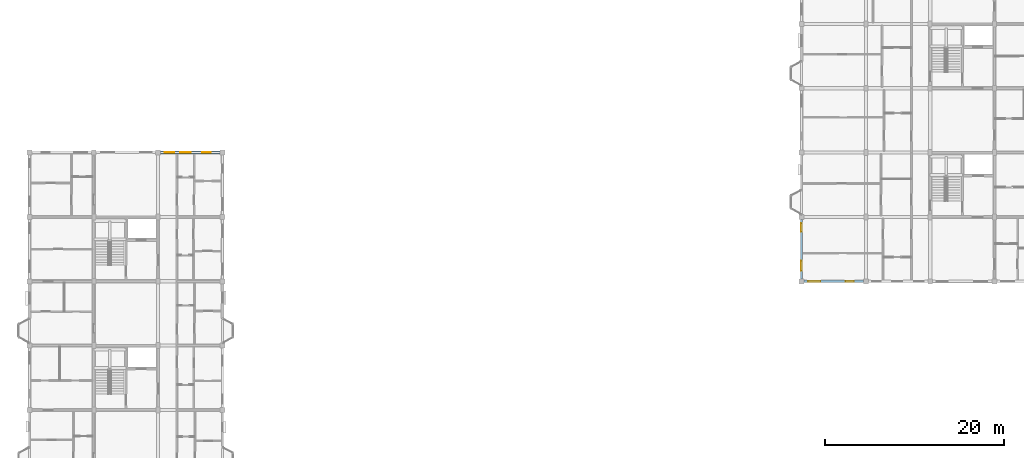
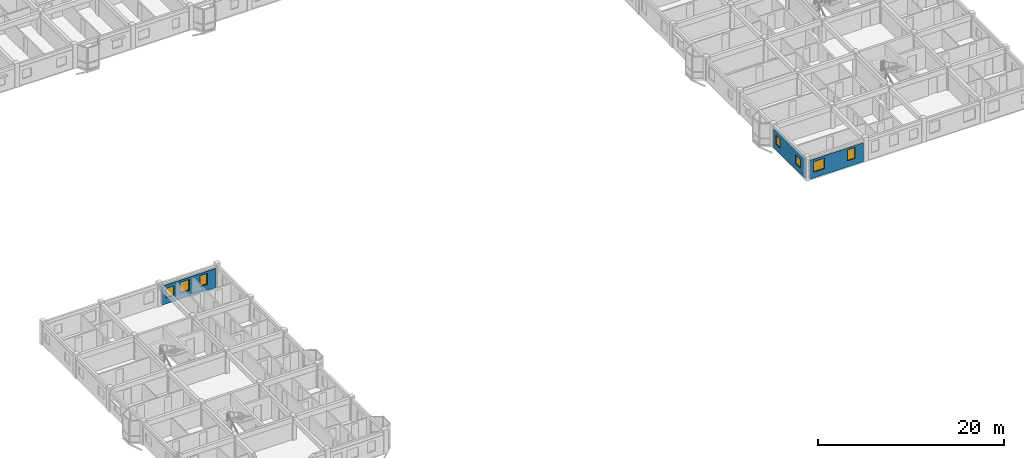
# One storey, part 59 of 77: 7 windows, 3 walls, 7 openings.
"""IFC4 building model written with IfcOpenShell, lengths in metres."""

from ifc_helpers import new_model, si_unit, direction, frame, frame_2d, origin, place, context, subcontext, project, spatial, rectangle, extrude, material, layer, layer_set, type_object, element, fill, save


model = new_model("IFC4")

# Units and contexts
model_context = context("Model", 3, precision=1e-05, world=origin(), true_north=direction((0.0, 1.0)))
body_context = subcontext(model_context, "Body", "Model", "MODEL_VIEW")
ifc_project = project(units=[si_unit("LENGTHUNIT", "METRE"), si_unit("AREAUNIT", "SQUARE_METRE"), si_unit("VOLUMEUNIT", "CUBIC_METRE"), si_unit("PLANEANGLEUNIT", "RADIAN"), si_unit("MASSUNIT", "GRAM", prefix="KILO"), si_unit("THERMODYNAMICTEMPERATUREUNIT", "KELVIN"), si_unit("POWERUNIT", "WATT")], contexts=[model_context])

# Site, building, storey
site_placement = place(None, origin())
site = spatial("IfcSite", under=ifc_project, at=site_placement, CompositionType="ELEMENT")
building_placement = place(site_placement, origin())
building = spatial("IfcBuilding", under=site, at=building_placement, Name="Tavuni Mirador Residences", CompositionType="ELEMENT")
storey_placement = place(building_placement, frame((0.0, 0.0, 17.10009765625)))
storey = spatial("IfcBuildingStorey", under=building, at=storey_placement, Name="L05", CompositionType="ELEMENT", Elevation=17.10009765625)

# Wall, openings, windows
ifc_material_1 = material(Name="Precast concrete C40/50", Category="concrete")
ifc_layer_1 = layer(ifc_material_1, 0.330078125, Name="Precast concrete C40/50", Category="concrete")
ifc_layer_set_1 = layer_set([ifc_layer_1], Name="Precast concrete C40/50")
wall_type_1 = type_object("IfcWallType", Name="WT-EXT-COR330", PredefinedType="SOLIDWALL", material=ifc_layer_set_1)
wall_1_placement = place(storey_placement, frame((24.925048828125, 100.800048828125, 0.0), z_axis=(0.0, 0.0, 1.0), x_axis=(-1.0, 0.0, 0.0)))
wall_1 = element("IfcWall", 1, at=wall_1_placement, inside=storey, type_object=wall_type_1, Name="EW-BLK-B-L05-N02", PredefinedType="SOLIDWALL", context=body_context, shape_type="SweptSolid", body=[
    extrude(rectangle(XDim=6.650146484375, YDim=0.330078125, at=frame_2d((3.3251953125, 0.0))), origin(), (0.0, 0.0, 1.0), 2.47998046875),
])
opening_1_placement = place(wall_1_placement, frame((1.04248046875, 0.0, 0.780029296875)))
opening_1 = element("IfcOpeningElement", 2, at=opening_1_placement, cuts=wall_1, Name="Opening WN-25", PredefinedType="OPENING", context=body_context, shape_type="SweptSolid", body=[
    extrude(rectangle(XDim=0.93994140625, YDim=1.43994140625, at=frame_2d((0.469970703125, 0.719970703125))), frame((0.0, 0.175048828125, 0.0), z_axis=(0.0, -1.0, 0.0), x_axis=(1.0, 0.0, 0.0)), (0.0, 0.0, 1.0), 0.35009765625),
])
opening_2_placement = place(wall_1_placement, frame((3.280029296875, 0.0, 0.780029296875)))
opening_2 = element("IfcOpeningElement", 3, at=opening_2_placement, cuts=wall_1, Name="Opening WN-27", PredefinedType="OPENING", context=body_context, shape_type="SweptSolid", body=[
    extrude(rectangle(XDim=1.14990234375, YDim=1.43994140625, at=frame_2d((0.574951171875, 0.719970703125))), frame((0.0, 0.175048828125, 0.0), z_axis=(0.0, -1.0, 0.0), x_axis=(1.0, 0.0, 0.0)), (0.0, 0.0, 1.0), 0.35009765625),
])
opening_3_placement = place(wall_1_placement, frame((5.1474609375, 0.0, 0.780029296875)))
opening_3 = element("IfcOpeningElement", 4, at=opening_3_placement, cuts=wall_1, Name="Opening WN-11", PredefinedType="OPENING", context=body_context, shape_type="SweptSolid", body=[
    extrude(rectangle(XDim=1.0400390625, YDim=1.260009765625, at=frame_2d((0.52001953125, 0.6298828125))), frame((0.0, 0.175048828125, 0.0), z_axis=(0.0, -1.0, 0.0), x_axis=(1.0, 0.0, 0.0)), (0.0, 0.0, 1.0), 0.35009765625),
])
ifc_material_2 = material(Name="Laminated solar-control glass", Category="glass")
window_type_1 = type_object("IfcWindowType", Name="WNT-11", PartitioningType="SINGLE_PANEL", PredefinedType="WINDOW", material=ifc_material_2)
window_1_placement = place(opening_3_placement, origin())
window_1 = element("IfcWindow", 5, at=window_1_placement, inside=storey, type_object=window_type_1, Name="WIN-0711", OverallHeight=1.260009765625, OverallWidth=1.0400390625, PartitioningType="SINGLE_PANEL", PredefinedType="WINDOW", context=body_context, shape_type="SweptSolid", body=[
    extrude(rectangle(XDim=1.0400390625, YDim=1.260009765625, at=frame_2d((0.52001953125, 0.6298828125))), frame((0.0, 0.030029296875, 0.0), z_axis=(0.0, -1.0, 0.0), x_axis=(1.0, 0.0, 0.0)), (0.0, 0.0, 1.0), 0.06005859375),
])
fill(opening_3, window_1)
window_type_2 = type_object("IfcWindowType", Name="WNT-25", PartitioningType="SINGLE_PANEL", PredefinedType="WINDOW", material=ifc_material_2)
window_2_placement = place(opening_1_placement, origin())
window_2 = element("IfcWindow", 6, at=window_2_placement, inside=storey, type_object=window_type_2, Name="WIN-0709", OverallHeight=1.43994140625, OverallWidth=0.93994140625, PartitioningType="SINGLE_PANEL", PredefinedType="WINDOW", context=body_context, shape_type="SweptSolid", body=[
    extrude(rectangle(XDim=0.93994140625, YDim=1.43994140625, at=frame_2d((0.469970703125, 0.719970703125))), frame((0.0, 0.030029296875, 0.0), z_axis=(0.0, -1.0, 0.0), x_axis=(1.0, 0.0, 0.0)), (0.0, 0.0, 1.0), 0.06005859375),
])
fill(opening_1, window_2)
window_type_3 = type_object("IfcWindowType", Name="WNT-27", PartitioningType="SINGLE_PANEL", PredefinedType="WINDOW", material=ifc_material_2)
window_3_placement = place(opening_2_placement, origin())
window_3 = element("IfcWindow", 7, at=window_3_placement, inside=storey, type_object=window_type_3, Name="WIN-0710", OverallHeight=1.43994140625, OverallWidth=1.14990234375, PartitioningType="SINGLE_PANEL", PredefinedType="WINDOW", context=body_context, shape_type="SweptSolid", body=[
    extrude(rectangle(XDim=1.14990234375, YDim=1.43994140625, at=frame_2d((0.574951171875, 0.719970703125))), frame((0.0, 0.030029296875, 0.0), z_axis=(0.0, -1.0, 0.0), x_axis=(1.0, 0.0, 0.0)), (0.0, 0.0, 1.0), 0.06005859375),
])
fill(opening_2, window_3)

ifc_material_3 = material(Name="Sgraffito lime-rendered precast concrete C40/50", Category="concrete")
ifc_layer_2 = layer(ifc_material_3, 0.2548828125, Name="Sgraffito lime-rendered precast concrete C40/50", Category="concrete")
ifc_layer_set_2 = layer_set([ifc_layer_2], Name="Sgraffito lime-rendered precast concrete C40/50")
wall_type_2 = type_object("IfcWallType", Name="WT-EXT-PC255", PredefinedType="SOLIDWALL", material=ifc_layer_set_2)
wall_2_placement = place(storey_placement, frame((90.27490234375, 86.39990234375, 0.0), z_axis=(0.0, 0.0, 1.0), x_axis=(1.0, 0.0, 0.0)))
wall_2 = element("IfcWall", 8, at=wall_2_placement, inside=storey, type_object=wall_type_2, Name="EW-BLK-D-L05-S00", PredefinedType="SOLIDWALL", context=body_context, shape_type="SweptSolid", body=[
    extrude(rectangle(XDim=6.650146484375, YDim=0.2548828125, at=frame_2d((3.3251953125, 0.0))), origin(), (0.0, 0.0, 1.0), 2.4599609375),
])
opening_4_placement = place(wall_2_placement, frame((0.449951171875, 0.0, 0.780029296875)))
opening_4 = element("IfcOpeningElement", 9, at=opening_4_placement, cuts=wall_2, Name="Opening WN-23", PredefinedType="OPENING", context=body_context, shape_type="SweptSolid", body=[
    extrude(rectangle(XDim=1.3798828125, YDim=1.360107421875, at=frame_2d((0.68994140625, 0.68017578125))), frame((0.0, 0.137451171875, 0.0), z_axis=(0.0, -1.0, 0.0), x_axis=(1.0, 0.0, 0.0)), (0.0, 0.0, 1.0), 0.27490234375),
])
opening_5_placement = place(wall_2_placement, frame((4.64990234375, 0.0, 0.780029296875)))
opening_5 = element("IfcOpeningElement", 10, at=opening_5_placement, cuts=wall_2, Name="Opening WN-25", PredefinedType="OPENING", context=body_context, shape_type="SweptSolid", body=[
    extrude(rectangle(XDim=0.93994140625, YDim=1.43994140625, at=frame_2d((0.469970703125, 0.719970703125))), frame((0.0, 0.137451171875, 0.0), z_axis=(0.0, -1.0, 0.0), x_axis=(1.0, 0.0, 0.0)), (0.0, 0.0, 1.0), 0.27490234375),
])
window_type_4 = type_object("IfcWindowType", Name="WNT-23", PartitioningType="SINGLE_PANEL", PredefinedType="WINDOW", material=ifc_material_2)
window_4_placement = place(opening_4_placement, origin())
window_4 = element("IfcWindow", 11, at=window_4_placement, inside=storey, type_object=window_type_4, Name="WIN-1607", OverallHeight=1.360107421875, OverallWidth=1.3798828125, PartitioningType="SINGLE_PANEL", PredefinedType="WINDOW", context=body_context, shape_type="SweptSolid", body=[
    extrude(rectangle(XDim=1.3798828125, YDim=1.360107421875, at=frame_2d((0.68994140625, 0.68017578125))), frame((0.0, 0.030029296875, 0.0), z_axis=(0.0, -1.0, 0.0), x_axis=(1.0, 0.0, 0.0)), (0.0, 0.0, 1.0), 0.06005859375),
])
fill(opening_4, window_4)
window_5_placement = place(opening_5_placement, origin())
window_5 = element("IfcWindow", 12, at=window_5_placement, inside=storey, type_object=window_type_2, Name="WIN-1608", OverallHeight=1.43994140625, OverallWidth=0.93994140625, PartitioningType="SINGLE_PANEL", PredefinedType="WINDOW", context=body_context, shape_type="SweptSolid", body=[
    extrude(rectangle(XDim=0.93994140625, YDim=1.43994140625, at=frame_2d((0.469970703125, 0.719970703125))), frame((0.0, 0.030029296875, 0.0), z_axis=(0.0, -1.0, 0.0), x_axis=(1.0, 0.0, 0.0)), (0.0, 0.0, 1.0), 0.06005859375),
])
fill(opening_5, window_5)

wall_3_placement = place(storey_placement, frame((90.0, 93.324951171875, 0.0), z_axis=(0.0, 0.0, 1.0), x_axis=(0.0, -1.0, 0.0)))
wall_3 = element("IfcWall", 13, at=wall_3_placement, inside=storey, type_object=wall_type_2, Name="EW-BLK-D-L05-W00", PredefinedType="SOLIDWALL", context=body_context, shape_type="SweptSolid", body=[
    extrude(rectangle(XDim=6.64990234375, YDim=0.2548828125, at=frame_2d((3.324951171875, 0.0))), origin(), (0.0, 0.0, 1.0), 2.4599609375),
])
opening_6_placement = place(wall_3_placement, frame((0.449951171875, 0.0, 0.780029296875)))
opening_6 = element("IfcOpeningElement", 14, at=opening_6_placement, cuts=wall_3, Name="Opening WN-02", PredefinedType="OPENING", context=body_context, shape_type="SweptSolid", body=[
    extrude(rectangle(XDim=0.919921875, YDim=1.14990234375, at=frame_2d((0.4599609375, 0.574951171875))), frame((0.0, 0.137451171875, 0.0), z_axis=(0.0, -1.0, 0.0), x_axis=(1.0, 0.0, 0.0)), (0.0, 0.0, 1.0), 0.27490234375),
])
opening_7_placement = place(wall_3_placement, frame((4.64990234375, 0.0, 0.780029296875)))
opening_7 = element("IfcOpeningElement", 15, at=opening_7_placement, cuts=wall_3, Name="Opening WN-04", PredefinedType="OPENING", context=body_context, shape_type="SweptSolid", body=[
    extrude(rectangle(XDim=1.080078125, YDim=1.14990234375, at=frame_2d((0.5400390625, 0.574951171875))), frame((0.0, 0.137451171875, 0.0), z_axis=(0.0, -1.0, 0.0), x_axis=(1.0, 0.0, 0.0)), (0.0, 0.0, 1.0), 0.27490234375),
])
window_type_5 = type_object("IfcWindowType", Name="WNT-02", PartitioningType="SINGLE_PANEL", PredefinedType="WINDOW", material=ifc_material_2)
window_6_placement = place(opening_6_placement, origin())
window_6 = element("IfcWindow", 16, at=window_6_placement, inside=storey, type_object=window_type_5, Name="WIN-1646", OverallHeight=1.14990234375, OverallWidth=0.919921875, PartitioningType="SINGLE_PANEL", PredefinedType="WINDOW", context=body_context, shape_type="SweptSolid", body=[
    extrude(rectangle(XDim=0.919921875, YDim=1.14990234375, at=frame_2d((0.4599609375, 0.574951171875))), frame((0.0, 0.030029296875, 0.0), z_axis=(0.0, -1.0, 0.0), x_axis=(1.0, 0.0, 0.0)), (0.0, 0.0, 1.0), 0.06005859375),
])
fill(opening_6, window_6)
window_type_6 = type_object("IfcWindowType", Name="WNT-04", PartitioningType="SINGLE_PANEL", PredefinedType="WINDOW", material=ifc_material_2)
window_7_placement = place(opening_7_placement, origin())
window_7 = element("IfcWindow", 17, at=window_7_placement, inside=storey, type_object=window_type_6, Name="WIN-1647", OverallHeight=1.14990234375, OverallWidth=1.080078125, PartitioningType="SINGLE_PANEL", PredefinedType="WINDOW", context=body_context, shape_type="SweptSolid", body=[
    extrude(rectangle(XDim=1.080078125, YDim=1.14990234375, at=frame_2d((0.5400390625, 0.574951171875))), frame((0.0, 0.030029296875, 0.0), z_axis=(0.0, -1.0, 0.0), x_axis=(1.0, 0.0, 0.0)), (0.0, 0.0, 1.0), 0.06005859375),
])
fill(opening_7, window_7)

save(model, "model.ifc")
